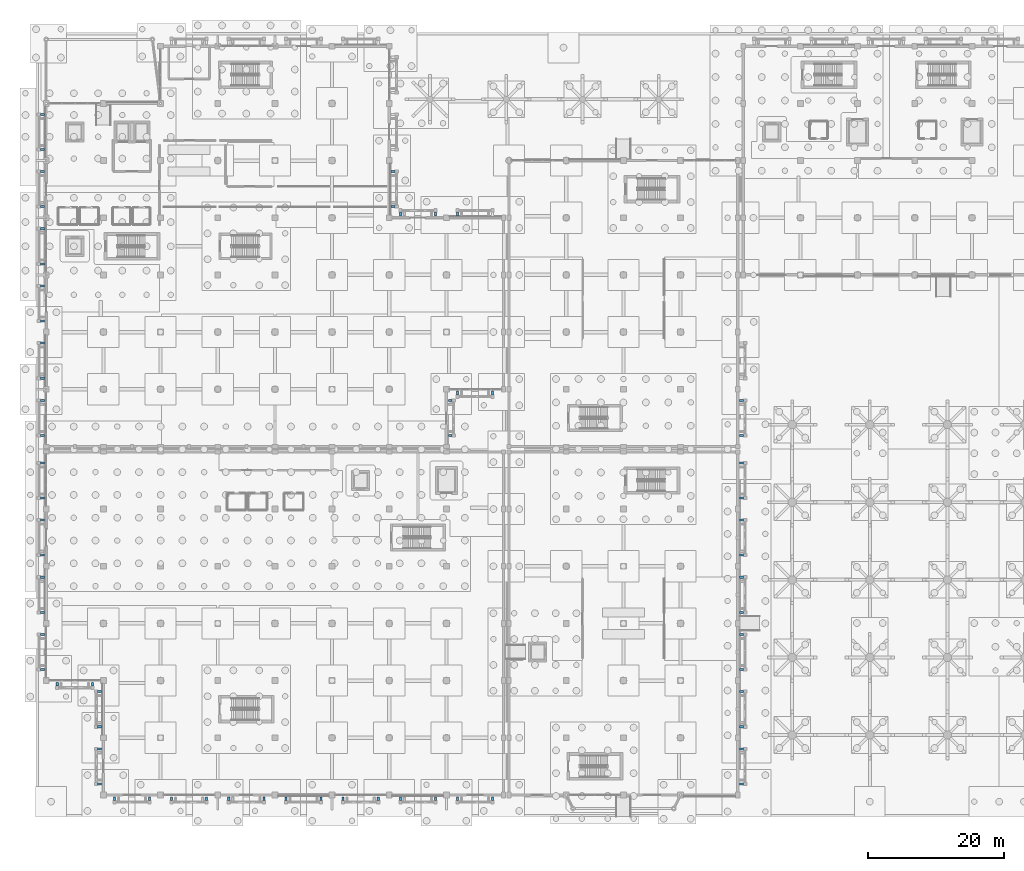
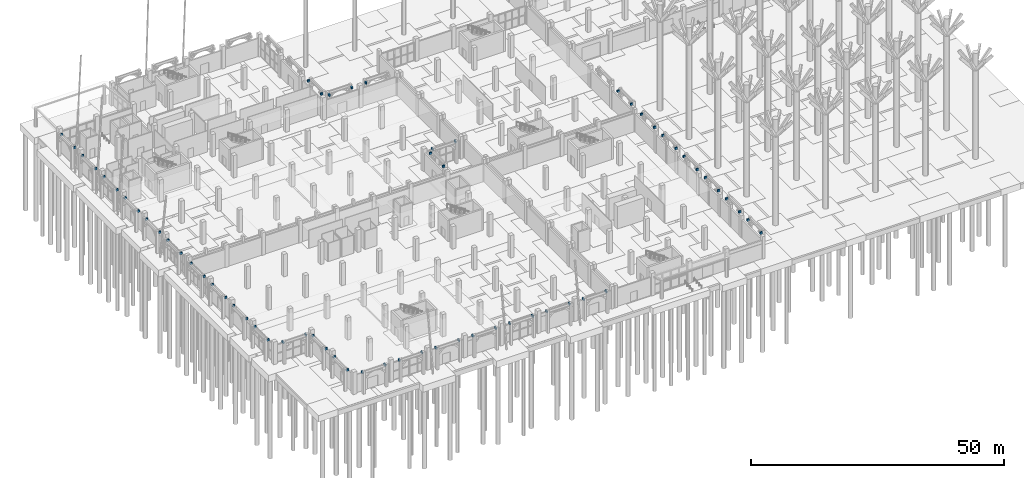
# One storey, part 47 of 98: 63 beams.
"""IFC4 building model written with IfcOpenShell, lengths in metres."""

from ifc_helpers import new_model, si_unit, direction, frame, origin, origin_2d, place, context, subcontext, project, spatial, rectangle, extrude, material, material_profile, profile_set, type_object, element, save


model = new_model("IFC4")

# Units and contexts
model_context = context("Model", 3, precision=1e-05, world=origin(), true_north=direction((0.0, 1.0)))
body_context = subcontext(model_context, "Body", "Model", "MODEL_VIEW")
ifc_project = project(units=[si_unit("LENGTHUNIT", "METRE"), si_unit("AREAUNIT", "SQUARE_METRE"), si_unit("VOLUMEUNIT", "CUBIC_METRE"), si_unit("PLANEANGLEUNIT", "RADIAN"), si_unit("MASSUNIT", "GRAM", prefix="KILO")], contexts=[model_context])

# Site, building, storey
site_placement = place(None, origin())
site = spatial("IfcSite", under=ifc_project, at=site_placement, CompositionType="ELEMENT")
building_placement = place(site_placement, origin())
building = spatial("IfcBuilding", under=site, at=building_placement, Name="Xazarin Passage Department Store", CompositionType="ELEMENT")
storey_placement = place(building_placement, origin())
storey = spatial("IfcBuildingStorey", under=building, at=storey_placement, Name="L00", CompositionType="ELEMENT", Elevation=0.0)

# Beams
ifc_material = material(Name="Concrete C35/45", Category="concrete")
ifc_material_profile = material_profile(ifc_material, rectangle(XDim=0.300048828125, YDim=0.5, at=origin_2d()), Name="RC 300x500")
ifc_profile_set = profile_set([ifc_material_profile], Name="Concrete C35/45")
beam_type = type_object("IfcBeamType", Name="STR-BM-LN300x500", PredefinedType="LINTEL", material=ifc_profile_set)
for number, where, z_axis, x_axis, name in (
    (1, (52.02001953125, 85.080078125, 4.85009765625), (0.0, 1.0, 0.0), (-1.0, 0.0, 0.0), "L00 V1 Colonnade Tie Rib 005L"),
    (2, (57.179931640625, 85.080078125, 4.85009765625), (0.0, 1.0, 0.0), (-1.0, 0.0, 0.0), "L00 V1 Colonnade Tie Rib 005R"),
):
    element("IfcBeam", number, at=place(storey_placement, frame(where, z_axis=z_axis, x_axis=x_axis)), inside=storey, type_object=beam_type, Name=name, PredefinedType="LINTEL", context=body_context, shape_type="SweptSolid", body=[
        extrude(rectangle(XDim=0.300048828125, YDim=0.5, at=origin_2d()), origin(), (0.0, 0.0, 1.0), 0.5498046875),
    ])
for number, where, z_axis, x_axis, name in (
    (3, (60.419921875, 59.320068359375, 4.85009765625), (0.0, -1.0, 0.0), (1.0, 0.0, 0.0), "L00 V1 Colonnade Tie Rib 006L"),
    (4, (65.580078125, 59.320068359375, 4.85009765625), (0.0, -1.0, 0.0), (1.0, 0.0, 0.0), "L00 V1 Colonnade Tie Rib 006R"),
):
    element("IfcBeam", number, at=place(storey_placement, frame(where, z_axis=z_axis, x_axis=x_axis)), inside=storey, type_object=beam_type, Name=name, PredefinedType="LINTEL", context=body_context, shape_type="SweptSolid", body=[
        extrude(rectangle(XDim=0.300048828125, YDim=0.5, at=origin_2d()), origin(), (0.0, 0.0, 1.0), 0.550048828125),
    ])
beam_placement = place(storey_placement, frame((60.419921875, 85.080078125, 4.85009765625), z_axis=(0.0, 1.0, 0.0), x_axis=(-1.0, 0.0, 0.0)))
element("IfcBeam", 5, at=beam_placement, inside=storey, type_object=beam_type, Name="L00 V1 Colonnade Tie Rib 007L", PredefinedType="LINTEL", context=body_context, shape_type="SweptSolid", body=[
    extrude(rectangle(XDim=0.300048828125, YDim=0.5, at=origin_2d()), origin(), (0.0, 0.0, 1.0), 0.5498046875),
])
for number, where, z_axis, x_axis, name in (
    (6, (-0.280029296875, 52.820068359375, 4.85009765625), (-1.0, 0.0, 0.0), (0.0, -1.0, 0.0), "L00 V1 Colonnade Tie Rib 008L"),
    (7, (-0.280029296875, 57.97998046875, 4.85009765625), (-1.0, 0.0, 0.0), (0.0, -1.0, 0.0), "L00 V1 Colonnade Tie Rib 008R"),
    (8, (-0.280029296875, 61.219970703125, 4.85009765625), (-1.0, 0.0, 0.0), (0.0, -1.0, 0.0), "L00 V1 Colonnade Tie Rib 009L"),
    (9, (-0.280029296875, 66.3798828125, 4.85009765625), (-1.0, 0.0, 0.0), (0.0, -1.0, 0.0), "L00 V1 Colonnade Tie Rib 009R"),
    (10, (-0.280029296875, 69.6201171875, 4.85009765625), (-1.0, 0.0, 0.0), (0.0, -1.0, 0.0), "L00 V1 Colonnade Tie Rib 010L"),
    (11, (-0.280029296875, 74.780029296875, 4.85009765625), (-1.0, 0.0, 0.0), (0.0, -1.0, 0.0), "L00 V1 Colonnade Tie Rib 010R"),
    (12, (-0.280029296875, 78.02001953125, 4.85009765625), (-1.0, 0.0, 0.0), (0.0, -1.0, 0.0), "L00 V1 Colonnade Tie Rib 011L"),
    (13, (-0.280029296875, 83.179931640625, 4.85009765625), (-1.0, 0.0, 0.0), (0.0, -1.0, 0.0), "L00 V1 Colonnade Tie Rib 011R"),
    (14, (-0.280029296875, 86.419921875, 4.85009765625), (-1.0, 0.0, 0.0), (0.0, -1.0, 0.0), "L00 V1 Colonnade Tie Rib 012L"),
    (15, (-0.280029296875, 91.580078125, 4.85009765625), (-1.0, 0.0, 0.0), (0.0, -1.0, 0.0), "L00 V1 Colonnade Tie Rib 012R"),
    (16, (-0.280029296875, 94.820068359375, 4.85009765625), (-1.0, 0.0, 0.0), (0.0, -1.0, 0.0), "L00 V1 Colonnade Tie Rib 013L"),
    (17, (-0.280029296875, 99.97998046875, 4.85009765625), (-1.0, 0.0, 0.0), (0.0, -1.0, 0.0), "L00 V1 Colonnade Tie Rib 013R"),
    (18, (50.679931640625, 86.419921875, 4.85009765625), (1.0, 0.0, 0.0), (0.0, 1.0, 0.0), "L00 V1 Colonnade Tie Rib 014L"),
    (19, (50.679931640625, 91.580078125, 4.85009765625), (1.0, 0.0, 0.0), (0.0, 1.0, 0.0), "L00 V1 Colonnade Tie Rib 014R"),
):
    element("IfcBeam", number, at=place(storey_placement, frame(where, z_axis=z_axis, x_axis=x_axis)), inside=storey, type_object=beam_type, Name=name, PredefinedType="LINTEL", context=body_context, shape_type="SweptSolid", body=[
        extrude(rectangle(XDim=0.300048828125, YDim=0.5, at=origin_2d()), origin(), (0.0, 0.0, 1.0), 0.550048828125),
    ])
for number, where, z_axis, x_axis, name in (
    (20, (59.080078125, 52.820068359375, 4.85009765625), (1.0, 0.0, 0.0), (0.0, 1.0, 0.0), "L00 V1 Colonnade Tie Rib 017L"),
    (21, (59.080078125, 57.97998046875, 4.85009765625), (1.0, 0.0, 0.0), (0.0, 1.0, 0.0), "L00 V1 Colonnade Tie Rib 017R"),
):
    element("IfcBeam", number, at=place(storey_placement, frame(where, z_axis=z_axis, x_axis=x_axis)), inside=storey, type_object=beam_type, Name=name, PredefinedType="LINTEL", context=body_context, shape_type="SweptSolid", body=[
        extrude(rectangle(XDim=0.300048828125, YDim=0.5, at=origin_2d()), origin(), (0.0, 0.0, 1.0), 0.5498046875),
    ])
for number, where, z_axis, x_axis, name in (
    (22, (101.8798828125, 1.6201171875, 4.85009765625), (1.0, 0.0, 0.0), (0.0, 1.0, 0.0), "L00 V2S Colonnade Tie Rib 018L"),
    (23, (101.8798828125, 6.780029296875, 4.85009765625), (1.0, 0.0, 0.0), (0.0, 1.0, 0.0), "L00 V2S Colonnade Tie Rib 018R"),
    (24, (101.8798828125, 10.02001953125, 4.85009765625), (1.0, 0.0, 0.0), (0.0, 1.0, 0.0), "L00 V2S Colonnade Tie Rib 019L"),
    (25, (101.8798828125, 15.179931640625, 4.85009765625), (1.0, 0.0, 0.0), (0.0, 1.0, 0.0), "L00 V2S Colonnade Tie Rib 019R"),
    (26, (101.8798828125, 18.419921875, 4.85009765625), (1.0, 0.0, 0.0), (0.0, 1.0, 0.0), "L00 V2S Colonnade Tie Rib 020L"),
    (27, (101.8798828125, 23.580078125, 4.85009765625), (1.0, 0.0, 0.0), (0.0, 1.0, 0.0), "L00 V2S Colonnade Tie Rib 020R"),
    (28, (101.8798828125, 26.820068359375, 4.85009765625), (1.0, 0.0, 0.0), (0.0, 1.0, 0.0), "L00 V2S Colonnade Tie Rib 021L"),
    (29, (101.8798828125, 31.97998046875, 4.85009765625), (1.0, 0.0, 0.0), (0.0, 1.0, 0.0), "L00 V2S Colonnade Tie Rib 021R"),
    (30, (101.8798828125, 35.219970703125, 4.85009765625), (1.0, 0.0, 0.0), (0.0, 1.0, 0.0), "L00 V2S Colonnade Tie Rib 022L"),
    (31, (101.8798828125, 40.3798828125, 4.85009765625), (1.0, 0.0, 0.0), (0.0, 1.0, 0.0), "L00 V2S Colonnade Tie Rib 022R"),
    (32, (101.8798828125, 43.6201171875, 4.85009765625), (1.0, 0.0, 0.0), (0.0, 1.0, 0.0), "L00 V2S Colonnade Tie Rib 023L"),
    (33, (101.8798828125, 48.780029296875, 4.85009765625), (1.0, 0.0, 0.0), (0.0, 1.0, 0.0), "L00 V2S Colonnade Tie Rib 023R"),
    (34, (101.8798828125, 52.820068359375, 4.85009765625), (1.0, 0.0, 0.0), (0.0, 1.0, 0.0), "L00 V2N Colonnade Tie Rib 024L"),
    (35, (101.8798828125, 57.97998046875, 4.85009765625), (1.0, 0.0, 0.0), (0.0, 1.0, 0.0), "L00 V2N Colonnade Tie Rib 024R"),
    (36, (1.6201171875, 16.52001953125, 4.85009765625), (0.0, -1.0, 0.0), (1.0, 0.0, 0.0), "L00 V3 Colonnade Tie Rib 026L"),
    (37, (6.780029296875, 16.52001953125, 4.85009765625), (0.0, -1.0, 0.0), (1.0, 0.0, 0.0), "L00 V3 Colonnade Tie Rib 026R"),
    (38, (10.02001953125, -0.280029296875, 4.85009765625), (0.0, -1.0, 0.0), (1.0, 0.0, 0.0), "L00 V3 Colonnade Tie Rib 027L"),
    (39, (15.179931640625, -0.280029296875, 4.85009765625), (0.0, -1.0, 0.0), (1.0, 0.0, 0.0), "L00 V3 Colonnade Tie Rib 027R"),
    (40, (18.419921875, -0.280029296875, 4.85009765625), (0.0, -1.0, 0.0), (1.0, 0.0, 0.0), "L00 V3 Colonnade Tie Rib 028L"),
    (41, (23.580078125, -0.280029296875, 4.85009765625), (0.0, -1.0, 0.0), (1.0, 0.0, 0.0), "L00 V3 Colonnade Tie Rib 028R"),
    (42, (26.820068359375, -0.280029296875, 4.85009765625), (0.0, -1.0, 0.0), (1.0, 0.0, 0.0), "L00 V3 Colonnade Tie Rib 029L"),
    (43, (31.97998046875, -0.280029296875, 4.85009765625), (0.0, -1.0, 0.0), (1.0, 0.0, 0.0), "L00 V3 Colonnade Tie Rib 029R"),
    (44, (35.219970703125, -0.280029296875, 4.85009765625), (0.0, -1.0, 0.0), (1.0, 0.0, 0.0), "L00 V3 Colonnade Tie Rib 030L"),
    (45, (40.3798828125, -0.280029296875, 4.85009765625), (0.0, -1.0, 0.0), (1.0, 0.0, 0.0), "L00 V3 Colonnade Tie Rib 030R"),
    (46, (43.6201171875, -0.280029296875, 4.85009765625), (0.0, -1.0, 0.0), (1.0, 0.0, 0.0), "L00 V3 Colonnade Tie Rib 031L"),
    (47, (48.780029296875, -0.280029296875, 4.85009765625), (0.0, -1.0, 0.0), (1.0, 0.0, 0.0), "L00 V3 Colonnade Tie Rib 031R"),
    (48, (52.02001953125, -0.280029296875, 4.85009765625), (0.0, -1.0, 0.0), (1.0, 0.0, 0.0), "L00 V3 Colonnade Tie Rib 032L"),
    (49, (57.179931640625, -0.280029296875, 4.85009765625), (0.0, -1.0, 0.0), (1.0, 0.0, 0.0), "L00 V3 Colonnade Tie Rib 032R"),
    (50, (60.419921875, -0.280029296875, 4.85009765625), (0.0, -1.0, 0.0), (1.0, 0.0, 0.0), "L00 V3 Colonnade Tie Rib 033L"),
    (51, (65.580078125, -0.280029296875, 4.85009765625), (0.0, -1.0, 0.0), (1.0, 0.0, 0.0), "L00 V3 Colonnade Tie Rib 033R"),
    (52, (-0.280029296875, 18.419921875, 4.85009765625), (-1.0, 0.0, 0.0), (0.0, -1.0, 0.0), "L00 V3 Colonnade Tie Rib 034L"),
    (53, (-0.280029296875, 23.580078125, 4.85009765625), (-1.0, 0.0, 0.0), (0.0, -1.0, 0.0), "L00 V3 Colonnade Tie Rib 034R"),
    (54, (-0.280029296875, 26.820068359375, 4.85009765625), (-1.0, 0.0, 0.0), (0.0, -1.0, 0.0), "L00 V3 Colonnade Tie Rib 035L"),
    (55, (-0.280029296875, 31.97998046875, 4.85009765625), (-1.0, 0.0, 0.0), (0.0, -1.0, 0.0), "L00 V3 Colonnade Tie Rib 035R"),
    (56, (-0.280029296875, 35.219970703125, 4.85009765625), (-1.0, 0.0, 0.0), (0.0, -1.0, 0.0), "L00 V3 Colonnade Tie Rib 036L"),
    (57, (-0.280029296875, 40.3798828125, 4.85009765625), (-1.0, 0.0, 0.0), (0.0, -1.0, 0.0), "L00 V3 Colonnade Tie Rib 036R"),
    (58, (-0.280029296875, 43.6201171875, 4.85009765625), (-1.0, 0.0, 0.0), (0.0, -1.0, 0.0), "L00 V3 Colonnade Tie Rib 037L"),
    (59, (-0.280029296875, 48.780029296875, 4.85009765625), (-1.0, 0.0, 0.0), (0.0, -1.0, 0.0), "L00 V3 Colonnade Tie Rib 037R"),
    (60, (8.1201171875, 1.6201171875, 4.85009765625), (-1.0, 0.0, 0.0), (0.0, -1.0, 0.0), "L00 V3 Colonnade Tie Rib 038L"),
    (61, (8.1201171875, 6.780029296875, 4.85009765625), (-1.0, 0.0, 0.0), (0.0, -1.0, 0.0), "L00 V3 Colonnade Tie Rib 038R"),
    (62, (8.1201171875, 10.02001953125, 4.85009765625), (-1.0, 0.0, 0.0), (0.0, -1.0, 0.0), "L00 V3 Colonnade Tie Rib 039L"),
    (63, (8.1201171875, 15.179931640625, 4.85009765625), (-1.0, 0.0, 0.0), (0.0, -1.0, 0.0), "L00 V3 Colonnade Tie Rib 039R"),
):
    element("IfcBeam", number, at=place(storey_placement, frame(where, z_axis=z_axis, x_axis=x_axis)), inside=storey, type_object=beam_type, Name=name, PredefinedType="LINTEL", context=body_context, shape_type="SweptSolid", body=[
        extrude(rectangle(XDim=0.300048828125, YDim=0.5, at=origin_2d()), origin(), (0.0, 0.0, 1.0), 0.550048828125),
    ])

save(model, "model.ifc")
